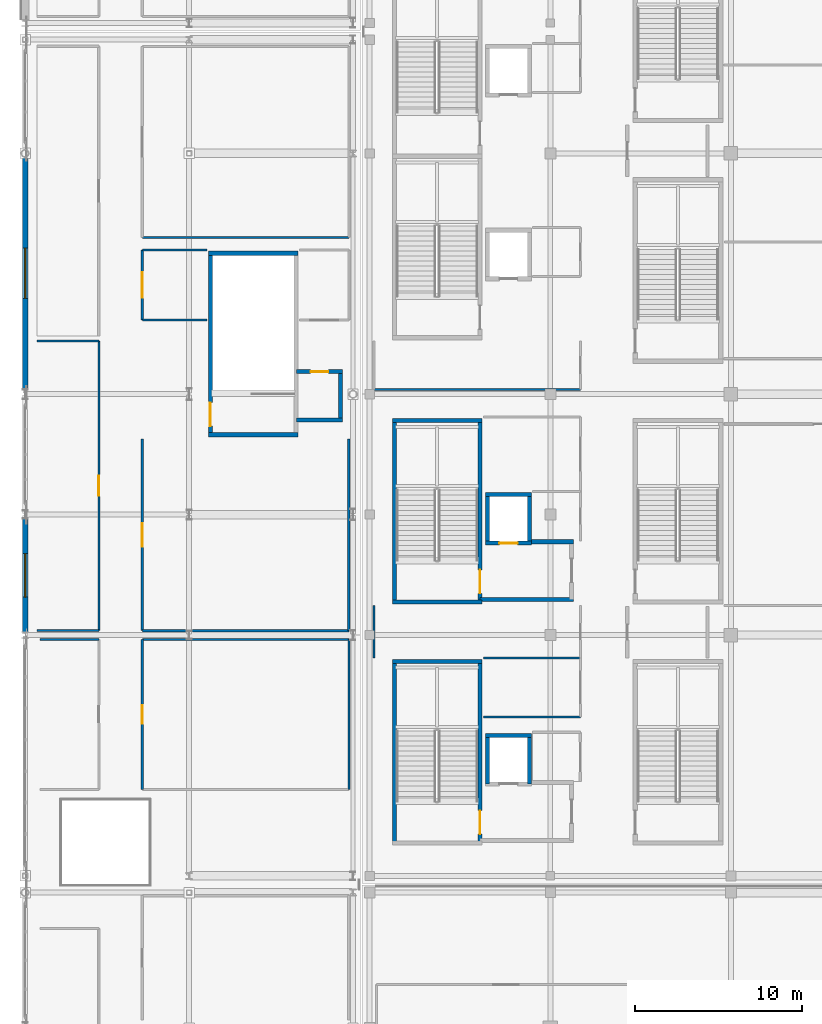
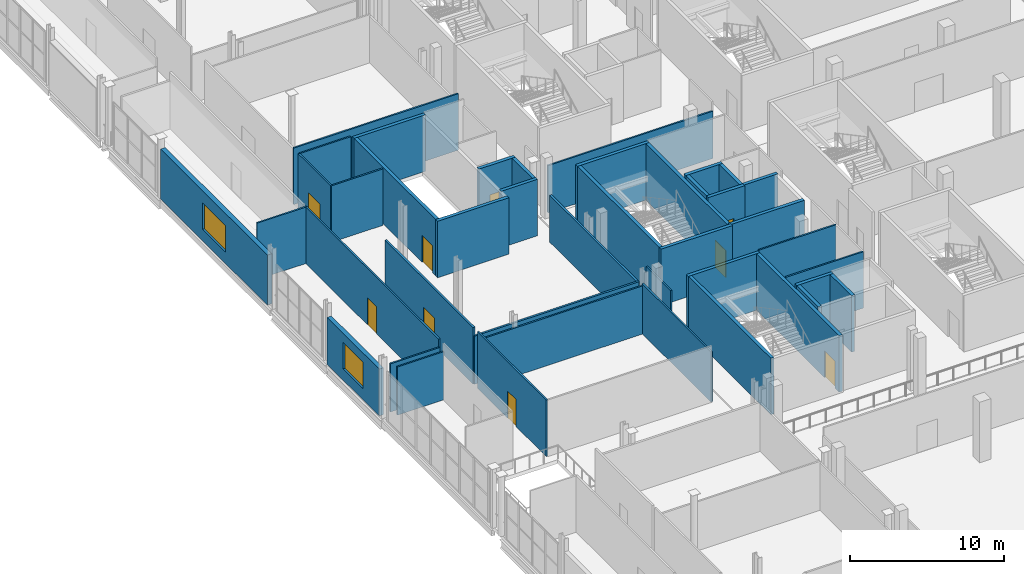
# One storey, part 88 of 142: 42 walls, 9 doors, 2 windows, 11 openings.
"""IFC4 building model written with IfcOpenShell, lengths in metres."""

from ifc_helpers import new_model, si_unit, direction, frame, frame_2d, origin, place, context, subcontext, project, spatial, rectangle, extrude, material, layer, layer_set, type_object, element, fill, save


model = new_model("IFC4")

# Units and contexts
model_context = context("Model", 3, precision=1e-05, world=origin(), true_north=direction((0.0, 1.0)))
body_context = subcontext(model_context, "Body", "Model", "MODEL_VIEW")
ifc_project = project(units=[si_unit("LENGTHUNIT", "METRE"), si_unit("AREAUNIT", "SQUARE_METRE"), si_unit("VOLUMEUNIT", "CUBIC_METRE"), si_unit("PLANEANGLEUNIT", "RADIAN"), si_unit("MASSUNIT", "GRAM", prefix="KILO")], contexts=[model_context])

# Site, building, storey
site_placement = place(None, origin())
site = spatial("IfcSite", under=ifc_project, at=site_placement, CompositionType="ELEMENT")
building_placement = place(site_placement, origin())
building = spatial("IfcBuilding", under=site, at=building_placement, Name="Koshinbarg Plaza Stadium", CompositionType="ELEMENT")
storey_placement = place(building_placement, frame((0.0, 0.0, 10.199951171875)))
storey = spatial("IfcBuildingStorey", under=building, at=storey_placement, Name="L02", CompositionType="ELEMENT", Elevation=10.199951171875)

# Walls
ifc_material_1 = material(Name="Concrete C40/50", Category="concrete")
ifc_layer_1 = layer(ifc_material_1, 0.25)
ifc_layer_set_1 = layer_set([ifc_layer_1], Name="Concrete C40/50")
wall_type_1 = type_object("IfcWallType", Name="WL-CORE-250", PredefinedType="SHEAR", material=ifc_layer_set_1)
wall_1_placement = place(storey_placement, frame((31.320068359375, 38.324951171875, 0.0), z_axis=(0.0, 0.0, 1.0), x_axis=(-1.0, 0.0, 0.0)))
element("IfcWall", 1, at=wall_1_placement, inside=storey, type_object=wall_type_1, Name="L02 core stair shear wall C01-far IWL-L02-0010", PredefinedType="SHEAR", context=body_context, shape_type="SweptSolid", body=[
    extrude(rectangle(XDim=5.3701171875, YDim=0.25, at=frame_2d((2.68505859375, 0.0))), origin(), (0.0, 0.0, 1.0), 4.47998046875),
])
wall_2_placement = place(storey_placement, frame((26.074951171875, 27.47509765625, 0.0), z_axis=(0.0, 0.0, 1.0), x_axis=(0.0, 1.0, 0.0)))
element("IfcWall", 2, at=wall_2_placement, inside=storey, type_object=wall_type_1, Name="L02 core stair shear wall C01-left IWL-L02-0011", PredefinedType="SHEAR", context=body_context, shape_type="SweptSolid", body=[
    extrude(rectangle(XDim=10.849853515625, YDim=0.25, at=frame_2d((5.4248046875, 0.0))), origin(), (0.0, 0.0, 1.0), 4.47998046875),
])

# Wall, opening, door
wall_3_placement = place(storey_placement, frame((31.195068359375, 27.47509765625, 0.0), z_axis=(0.0, 0.0, 1.0), x_axis=(0.0, 1.0, 0.0)))
wall_3 = element("IfcWall", 3, at=wall_3_placement, inside=storey, type_object=wall_type_1, Name="L02 core stair shear wall C01-right IWL-L02-0012", PredefinedType="SHEAR", context=body_context, shape_type="SweptSolid", body=[
    extrude(rectangle(XDim=10.849853515625, YDim=0.25, at=frame_2d((5.4248046875, 0.0))), origin(), (0.0, 0.0, 1.0), 4.47998046875),
])
opening_1_placement = place(wall_3_placement, frame((0.52001953125, 0.0, 0.0)))
opening_1 = element("IfcOpeningElement", 4, at=opening_1_placement, cuts=wall_3, Name="Opening D-0063", PredefinedType="OPENING", context=body_context, shape_type="SweptSolid", body=[
    extrude(rectangle(XDim=1.39990234375, YDim=2.14990234375, at=frame_2d((0.699951171875, 1.074951171875))), frame((0.0, 0.135009765625, 0.0), z_axis=(0.0, -1.0, 0.0), x_axis=(1.0, 0.0, 0.0)), (0.0, 0.0, 1.0), 0.27001953125),
])
ifc_material_2 = material(Name="Painted galvanized steel fire door", Category="steel")
door_type_1 = type_object("IfcDoorType", Name="DR-STAIR-1400", OperationType="NOTDEFINED", PredefinedType="DOOR", material=ifc_material_2)
door_1_placement = place(opening_1_placement, origin())
door_1 = element("IfcDoor", 5, at=door_1_placement, inside=storey, type_object=door_type_1, Name="L02 exit stair door C01", OperationType="SINGLE_SWING_LEFT", OverallHeight=2.14990234375, OverallWidth=1.39990234375, PredefinedType="DOOR", context=body_context, shape_type="SweptSolid", body=[
    extrude(rectangle(XDim=1.39990234375, YDim=2.14990234375, at=frame_2d((0.699951171875, 1.074951171875))), frame((0.0, 0.02490234375, 0.0), z_axis=(0.0, -1.0, 0.0), x_axis=(1.0, 0.0, 0.0)), (0.0, 0.0, 1.0), 0.050048828125),
])
fill(opening_1, door_1)

# Walls
for number, where, z_axis, x_axis, name in (
    (6, (25.949951171875, 41.875, 0.0), (0.0, 0.0, 1.0), (1.0, 0.0, 0.0), "L02 core stair shear wall C02-near IWL-L02-0037"),
    (7, (31.320068359375, 52.72509765625, 0.0), (0.0, 0.0, 1.0), (-1.0, 0.0, 0.0), "L02 core stair shear wall C02-far IWL-L02-0038"),
):
    element("IfcWall", number, at=place(storey_placement, frame(where, z_axis=z_axis, x_axis=x_axis)), inside=storey, type_object=wall_type_1, Name=name, PredefinedType="SHEAR", context=body_context, shape_type="SweptSolid", body=[
        extrude(rectangle(XDim=5.3701171875, YDim=0.25, at=frame_2d((2.68505859375, 0.0))), origin(), (0.0, 0.0, 1.0), 4.47998046875),
    ])
wall_4_placement = place(storey_placement, frame((26.074951171875, 41.875, 0.0), z_axis=(0.0, 0.0, 1.0), x_axis=(0.0, 1.0, 0.0)))
element("IfcWall", 8, at=wall_4_placement, inside=storey, type_object=wall_type_1, Name="L02 core stair shear wall C02-left IWL-L02-0039", PredefinedType="SHEAR", context=body_context, shape_type="SweptSolid", body=[
    extrude(rectangle(XDim=10.85009765625, YDim=0.25, at=frame_2d((5.425048828125, 0.0))), origin(), (0.0, 0.0, 1.0), 4.47998046875),
])

# Wall, opening, door
wall_5_placement = place(storey_placement, frame((31.195068359375, 41.875, 0.0), z_axis=(0.0, 0.0, 1.0), x_axis=(0.0, 1.0, 0.0)))
wall_5 = element("IfcWall", 9, at=wall_5_placement, inside=storey, type_object=wall_type_1, Name="L02 core stair shear wall C02-right IWL-L02-0040", PredefinedType="SHEAR", context=body_context, shape_type="SweptSolid", body=[
    extrude(rectangle(XDim=10.85009765625, YDim=0.25, at=frame_2d((5.425048828125, 0.0))), origin(), (0.0, 0.0, 1.0), 4.47998046875),
])
opening_2_placement = place(wall_5_placement, frame((0.52001953125, 0.0, 0.0)))
opening_2 = element("IfcOpeningElement", 10, at=opening_2_placement, cuts=wall_5, Name="Opening D-0070", PredefinedType="OPENING", context=body_context, shape_type="SweptSolid", body=[
    extrude(rectangle(XDim=1.39990234375, YDim=2.14990234375, at=frame_2d((0.699951171875, 1.074951171875))), frame((0.0, 0.135009765625, 0.0), z_axis=(0.0, -1.0, 0.0), x_axis=(1.0, 0.0, 0.0)), (0.0, 0.0, 1.0), 0.27001953125),
])
door_2_placement = place(opening_2_placement, origin())
door_2 = element("IfcDoor", 11, at=door_2_placement, inside=storey, type_object=door_type_1, Name="L02 exit stair door C02", OperationType="SINGLE_SWING_LEFT", OverallHeight=2.14990234375, OverallWidth=1.39990234375, PredefinedType="DOOR", context=body_context, shape_type="SweptSolid", body=[
    extrude(rectangle(XDim=1.39990234375, YDim=2.14990234375, at=frame_2d((0.699951171875, 1.074951171875))), frame((0.0, 0.02490234375, 0.0), z_axis=(0.0, -1.0, 0.0), x_axis=(1.0, 0.0, 0.0)), (0.0, 0.0, 1.0), 0.050048828125),
])
fill(opening_2, door_2)

# Walls
for number, where, z_axis, x_axis, name in (
    (12, (14.949951171875, 51.875, 0.0), (0.0, 0.0, 1.0), (1.0, 0.0, 0.0), "L02 core stair shear wall C16-near IWL-L02-0350"),
    (13, (20.320068359375, 62.72509765625, 0.0), (0.0, 0.0, 1.0), (-1.0, 0.0, 0.0), "L02 core stair shear wall C16-far IWL-L02-0351"),
):
    element("IfcWall", number, at=place(storey_placement, frame(where, z_axis=z_axis, x_axis=x_axis)), inside=storey, type_object=wall_type_1, Name=name, PredefinedType="SHEAR", context=body_context, shape_type="SweptSolid", body=[
        extrude(rectangle(XDim=5.3701171875, YDim=0.25, at=frame_2d((2.68505859375, 0.0))), origin(), (0.0, 0.0, 1.0), 4.47998046875),
    ])

# Wall, opening, door
wall_6_placement = place(storey_placement, frame((15.074951171875, 51.875, 0.0), z_axis=(0.0, 0.0, 1.0), x_axis=(0.0, 1.0, 0.0)))
wall_6 = element("IfcWall", 14, at=wall_6_placement, inside=storey, type_object=wall_type_1, Name="L02 core stair shear wall C16-left IWL-L02-0352", PredefinedType="SHEAR", context=body_context, shape_type="SweptSolid", body=[
    extrude(rectangle(XDim=10.85009765625, YDim=0.25, at=frame_2d((5.425048828125, 0.0))), origin(), (0.0, 0.0, 1.0), 4.47998046875),
])
opening_3_placement = place(wall_6_placement, frame((0.52001953125, 0.0, 0.0)))
opening_3 = element("IfcOpeningElement", 15, at=opening_3_placement, cuts=wall_6, Name="Opening D-0150", PredefinedType="OPENING", context=body_context, shape_type="SweptSolid", body=[
    extrude(rectangle(XDim=1.39990234375, YDim=2.14990234375, at=frame_2d((0.699951171875, 1.074951171875))), frame((0.0, 0.135009765625, 0.0), z_axis=(0.0, -1.0, 0.0), x_axis=(1.0, 0.0, 0.0)), (0.0, 0.0, 1.0), 0.27001953125),
])
door_3_placement = place(opening_3_placement, frame((1.39990234375, 0.0, 0.0), z_axis=(0.0, 0.0, 1.0), x_axis=(-1.0, 0.0, 0.0)))
door_3 = element("IfcDoor", 16, at=door_3_placement, inside=storey, type_object=door_type_1, Name="L02 exit stair door C16", OperationType="SINGLE_SWING_LEFT", OverallHeight=2.14990234375, OverallWidth=1.39990234375, PredefinedType="DOOR", context=body_context, shape_type="SweptSolid", body=[
    extrude(rectangle(XDim=1.39990234375, YDim=2.14990234375, at=frame_2d((0.699951171875, 1.074951171875))), frame((0.0, 0.02490234375, 0.0), z_axis=(0.0, -1.0, 0.0), x_axis=(1.0, 0.0, 0.0)), (0.0, 0.0, 1.0), 0.050048828125),
])
fill(opening_3, door_3)

# Walls
wall_7_placement = place(storey_placement, frame((34.27490234375, 33.89990234375, 0.0), z_axis=(0.0, 0.0, 1.0), x_axis=(-1.0, 0.0, 0.0)))
element("IfcWall", 17, at=wall_7_placement, inside=storey, type_object=wall_type_1, Name="L02 lift shaft shear wall FL01-N IWL-L02-0625", PredefinedType="SHEAR", context=body_context, shape_type="SweptSolid", body=[
    extrude(rectangle(XDim=2.75, YDim=0.25, at=frame_2d((1.375, 0.0))), origin(), (0.0, 0.0, 1.0), 4.47998046875),
])
for number, where, z_axis, x_axis, name in (
    (18, (31.64990234375, 33.89990234375, 0.0), (0.0, 0.0, 1.0), (0.0, -1.0, 0.0), "L02 lift shaft shear wall FL01-W IWL-L02-0626"),
    (19, (34.14990234375, 31.0, 0.0), (0.0, 0.0, 1.0), (0.0, 1.0, 0.0), "L02 lift shaft shear wall FL01-E IWL-L02-0627"),
):
    element("IfcWall", number, at=place(storey_placement, frame(where, z_axis=z_axis, x_axis=x_axis)), inside=storey, type_object=wall_type_1, Name=name, PredefinedType="SHEAR", context=body_context, shape_type="SweptSolid", body=[
        extrude(rectangle(XDim=2.89990234375, YDim=0.25, at=frame_2d((1.449951171875, 0.0))), origin(), (0.0, 0.0, 1.0), 4.47998046875),
    ])

# Wall, opening, door
wall_8_placement = place(storey_placement, frame((31.52490234375, 45.39990234375, 0.0), z_axis=(0.0, 0.0, 1.0), x_axis=(1.0, 0.0, 0.0)))
wall_8 = element("IfcWall", 20, at=wall_8_placement, inside=storey, type_object=wall_type_1, Name="L02 lift shaft shear wall FL02-S IWL-L02-0673", PredefinedType="SHEAR", context=body_context, shape_type="SweptSolid", body=[
    extrude(rectangle(XDim=2.75, YDim=0.25, at=frame_2d((1.375, 0.0))), origin(), (0.0, 0.0, 1.0), 4.47998046875),
])
opening_4_placement = place(wall_8_placement, frame((0.824951171875, 0.0, 0.0)))
opening_4 = element("IfcOpeningElement", 21, at=opening_4_placement, cuts=wall_8, Name="Opening D-0233", PredefinedType="OPENING", context=body_context, shape_type="SweptSolid", body=[
    extrude(rectangle(XDim=1.10009765625, YDim=2.14990234375, at=frame_2d((0.550048828125, 1.074951171875))), frame((0.0, 0.135009765625, 0.0), z_axis=(0.0, -1.0, 0.0), x_axis=(1.0, 0.0, 0.0)), (0.0, 0.0, 1.0), 0.27001953125),
])
ifc_material_3 = material(Name="Brushed stainless steel sliding lift landing door", Category="steel")
door_type_2 = type_object("IfcDoorType", Name="DR-LIFT-1100", OperationType="NOTDEFINED", PredefinedType="DOOR", material=ifc_material_3)
door_4_placement = place(opening_4_placement, origin())
door_4 = element("IfcDoor", 22, at=door_4_placement, inside=storey, type_object=door_type_2, Name="L02 lift landing door FL02", OperationType="SLIDING_TO_LEFT", OverallHeight=2.14990234375, OverallWidth=1.10009765625, PredefinedType="DOOR", context=body_context, shape_type="SweptSolid", body=[
    extrude(rectangle(XDim=1.10009765625, YDim=2.14990234375, at=frame_2d((0.550048828125, 1.074951171875))), frame((0.0, 0.02490234375, 0.0), z_axis=(0.0, -1.0, 0.0), x_axis=(1.0, 0.0, 0.0)), (0.0, 0.0, 1.0), 0.050048828125),
])
fill(opening_4, door_4)

# Walls
wall_9_placement = place(storey_placement, frame((34.27490234375, 48.300048828125, 0.0), z_axis=(0.0, 0.0, 1.0), x_axis=(-1.0, 0.0, 0.0)))
element("IfcWall", 23, at=wall_9_placement, inside=storey, type_object=wall_type_1, Name="L02 lift shaft shear wall FL02-N IWL-L02-0674", PredefinedType="SHEAR", context=body_context, shape_type="SweptSolid", body=[
    extrude(rectangle(XDim=2.75, YDim=0.25, at=frame_2d((1.375, 0.0))), origin(), (0.0, 0.0, 1.0), 4.47998046875),
])
for number, where, z_axis, x_axis, name in (
    (24, (31.64990234375, 48.300048828125, 0.0), (0.0, 0.0, 1.0), (0.0, -1.0, 0.0), "L02 lift shaft shear wall FL02-W IWL-L02-0675"),
    (25, (34.14990234375, 45.39990234375, 0.0), (0.0, 0.0, 1.0), (0.0, 1.0, 0.0), "L02 lift shaft shear wall FL02-E IWL-L02-0676"),
):
    element("IfcWall", number, at=place(storey_placement, frame(where, z_axis=z_axis, x_axis=x_axis)), inside=storey, type_object=wall_type_1, Name=name, PredefinedType="SHEAR", context=body_context, shape_type="SweptSolid", body=[
        extrude(rectangle(XDim=2.900146484375, YDim=0.25, at=frame_2d((1.4501953125, 0.0))), origin(), (0.0, 0.0, 1.0), 4.47998046875),
    ])
wall_10_placement = place(storey_placement, frame((34.27490234375, 45.47509765625, 0.0), z_axis=(0.0, 0.0, 1.0), x_axis=(1.0, 0.0, 0.0)))
element("IfcWall", 26, at=wall_10_placement, inside=storey, type_object=wall_type_1, Name="L02 firefighting lobby wall C02-NE IWL-L02-0678", PredefinedType="SHEAR", context=body_context, shape_type="SweptSolid", body=[
    extrude(rectangle(XDim=2.525146484375, YDim=0.25, at=frame_2d((1.2626953125, 0.0))), origin(), (0.0, 0.0, 1.0), 4.47998046875),
])
wall_11_placement = place(storey_placement, frame((31.199951171875, 42.02490234375, 0.0), z_axis=(0.0, 0.0, 1.0), x_axis=(1.0, 0.0, 0.0)))
element("IfcWall", 27, at=wall_11_placement, inside=storey, type_object=wall_type_1, Name="L02 firefighting lobby wall C02-S IWL-L02-0679", PredefinedType="SHEAR", context=body_context, shape_type="SweptSolid", body=[
    extrude(rectangle(XDim=5.60009765625, YDim=0.25, at=frame_2d((2.800048828125, 0.0))), origin(), (0.0, 0.0, 1.0), 4.47998046875),
])
wall_12_placement = place(storey_placement, frame((20.22509765625, 52.75, 0.0), z_axis=(0.0, 0.0, 1.0), x_axis=(1.0, 0.0, 0.0)))
element("IfcWall", 28, at=wall_12_placement, inside=storey, type_object=wall_type_1, Name="L02 lift shaft shear wall LP12-S IWL-L02-1045", PredefinedType="SHEAR", context=body_context, shape_type="SweptSolid", body=[
    extrude(rectangle(XDim=2.75, YDim=0.25, at=frame_2d((1.375, 0.0))), origin(), (0.0, 0.0, 1.0), 4.47998046875),
])

# Wall, opening, door
wall_13_placement = place(storey_placement, frame((22.97509765625, 55.64990234375, 0.0), z_axis=(0.0, 0.0, 1.0), x_axis=(-1.0, 0.0, 0.0)))
wall_13 = element("IfcWall", 29, at=wall_13_placement, inside=storey, type_object=wall_type_1, Name="L02 lift shaft shear wall LP12-N IWL-L02-1046", PredefinedType="SHEAR", context=body_context, shape_type="SweptSolid", body=[
    extrude(rectangle(XDim=2.75, YDim=0.25, at=frame_2d((1.375, 0.0))), origin(), (0.0, 0.0, 1.0), 4.47998046875),
])
opening_5_placement = place(wall_13_placement, frame((0.85009765625, 0.0, 0.0)))
opening_5 = element("IfcOpeningElement", 30, at=opening_5_placement, cuts=wall_13, Name="Opening D-0332", PredefinedType="OPENING", context=body_context, shape_type="SweptSolid", body=[
    extrude(rectangle(XDim=1.050048828125, YDim=2.14990234375, at=frame_2d((0.52490234375, 1.074951171875))), frame((0.0, 0.135009765625, 0.0), z_axis=(0.0, -1.0, 0.0), x_axis=(1.0, 0.0, 0.0)), (0.0, 0.0, 1.0), 0.27001953125),
])
door_type_3 = type_object("IfcDoorType", Name="DR-LIFT-1050", OperationType="NOTDEFINED", PredefinedType="DOOR", material=ifc_material_3)
door_5_placement = place(opening_5_placement, origin())
door_5 = element("IfcDoor", 31, at=door_5_placement, inside=storey, type_object=door_type_3, Name="L02 lift landing door LP12", OperationType="SLIDING_TO_LEFT", OverallHeight=2.14990234375, OverallWidth=1.050048828125, PredefinedType="DOOR", context=body_context, shape_type="SweptSolid", body=[
    extrude(rectangle(XDim=1.050048828125, YDim=2.14990234375, at=frame_2d((0.52490234375, 1.074951171875))), frame((0.0, 0.02490234375, 0.0), z_axis=(0.0, -1.0, 0.0), x_axis=(1.0, 0.0, 0.0)), (0.0, 0.0, 1.0), 0.050048828125),
])
fill(opening_5, door_5)

# Wall
wall_14_placement = place(storey_placement, frame((22.85009765625, 52.75, 0.0), z_axis=(0.0, 0.0, 1.0), x_axis=(0.0, 1.0, 0.0)))
element("IfcWall", 32, at=wall_14_placement, inside=storey, type_object=wall_type_1, Name="L02 lift shaft shear wall LP12-E IWL-L02-1047", PredefinedType="SHEAR", context=body_context, shape_type="SweptSolid", body=[
    extrude(rectangle(XDim=2.89990234375, YDim=0.25, at=frame_2d((1.449951171875, 0.0))), origin(), (0.0, 0.0, 1.0), 4.47998046875),
])

# Wall, opening, window
ifc_material_4 = material(Name="Ultramarine-blue pigmented mineral plaster facade wall", Category="masonry")
ifc_layer_2 = layer(ifc_material_4, 0.320068359375)
ifc_layer_set_2 = layer_set([ifc_layer_2], Name="Ultramarine-blue pigmented mineral plaster facade wall")
wall_type_2 = type_object("IfcWallType", Name="WL-EXT-320", PredefinedType="SOLIDWALL", material=ifc_layer_set_2)
wall_15_placement = place(storey_placement, frame((4.0, 40.0849609375, 0.0), z_axis=(0.0, 0.0, 1.0), x_axis=(0.0, 1.0, 0.0)))
wall_15 = element("IfcWall", 33, at=wall_15_placement, inside=storey, type_object=wall_type_2, Name="L02 exterior envelope wall EWL-L02-0110", PredefinedType="SOLIDWALL", context=body_context, shape_type="SweptSolid", body=[
    extrude(rectangle(XDim=6.77001953125, YDim=0.320068359375, at=frame_2d((3.385009765625, 0.0))), origin(), (0.0, 0.0, 1.0), 3.719970703125),
])
opening_6_placement = place(wall_15_placement, frame((2.0849609375, 0.0, 0.89990234375)))
opening_6 = element("IfcOpeningElement", 34, at=opening_6_placement, cuts=wall_15, Name="Opening WN16", PredefinedType="OPENING", context=body_context, shape_type="SweptSolid", body=[
    extrude(rectangle(XDim=2.60009765625, YDim=2.10009765625, at=frame_2d((1.300048828125, 1.050048828125))), frame((0.0, 0.169921875, 0.0), z_axis=(0.0, -1.0, 0.0), x_axis=(1.0, 0.0, 0.0)), (0.0, 0.0, 1.0), 0.340087890625),
])
ifc_material_5 = material(Name="Solar-control double glazing in thermally broken aluminium frame", Category="aluminium")
window_type_1 = type_object("IfcWindowType", Name="WN-FAC-16", PartitioningType="DOUBLE_PANEL_VERTICAL", PredefinedType="WINDOW", material=ifc_material_5)
window_1_placement = place(opening_6_placement, origin())
window_1 = element("IfcWindow", 35, at=window_1_placement, inside=storey, type_object=window_type_1, Name="L02 facade window 0049", OverallHeight=2.10009765625, OverallWidth=2.60009765625, PartitioningType="SINGLE_PANEL", PredefinedType="WINDOW", context=body_context, shape_type="SweptSolid", body=[
    extrude(rectangle(XDim=2.60009765625, YDim=2.10009765625, at=frame_2d((1.300048828125, 1.050048828125))), frame((0.0, 0.030029296875, 0.0), z_axis=(0.0, -1.0, 0.0), x_axis=(1.0, 0.0, 0.0)), (0.0, 0.0, 1.0), 0.06005859375),
])
fill(opening_6, window_1)

ifc_material_6 = material(Name="Acoustic insulated masonry stadium wall", Category="masonry")
ifc_layer_3 = layer(ifc_material_6, 0.35009765625)
ifc_layer_set_3 = layer_set([ifc_layer_3], Name="Acoustic insulated masonry stadium wall")
wall_type_3 = type_object("IfcWallType", Name="WL-EXT-350", PredefinedType="SOLIDWALL", material=ifc_layer_set_3)
wall_16_placement = place(storey_placement, frame((4.0, 54.594970703125, 0.0), z_axis=(0.0, 0.0, 1.0), x_axis=(0.0, 1.0, 0.0)))
wall_16 = element("IfcWall", 36, at=wall_16_placement, inside=storey, type_object=wall_type_3, Name="L02 exterior envelope wall EWL-L02-0111", PredefinedType="SOLIDWALL", context=body_context, shape_type="SweptSolid", body=[
    extrude(rectangle(XDim=13.881591796875, YDim=0.35009765625, at=frame_2d((6.94091796875, 0.0))), origin(), (0.0, 0.0, 1.0), 3.969970703125),
])
opening_7_placement = place(wall_16_placement, frame((5.44091796875, 0.0, 0.89990234375)))
opening_7 = element("IfcOpeningElement", 37, at=opening_7_placement, cuts=wall_16, Name="Opening WN17", PredefinedType="OPENING", context=body_context, shape_type="SweptSolid", body=[
    extrude(rectangle(XDim=3.0, YDim=2.10009765625, at=frame_2d((1.5, 1.050048828125))), frame((0.0, 0.18505859375, 0.0), z_axis=(0.0, -1.0, 0.0), x_axis=(1.0, 0.0, 0.0)), (0.0, 0.0, 1.0), 0.3701171875),
])
window_type_2 = type_object("IfcWindowType", Name="WN-FAC-17", PartitioningType="DOUBLE_PANEL_VERTICAL", PredefinedType="WINDOW", material=ifc_material_5)
window_2_placement = place(opening_7_placement, origin())
window_2 = element("IfcWindow", 38, at=window_2_placement, inside=storey, type_object=window_type_2, Name="L02 facade window 0050", OverallHeight=2.10009765625, OverallWidth=3.0, PartitioningType="SINGLE_PANEL", PredefinedType="WINDOW", context=body_context, shape_type="SweptSolid", body=[
    extrude(rectangle(XDim=3.0, YDim=2.10009765625, at=frame_2d((1.5, 1.050048828125))), frame((0.0, 0.030029296875, 0.0), z_axis=(0.0, -1.0, 0.0), x_axis=(1.0, 0.0, 0.0)), (0.0, 0.0, 1.0), 0.06005859375),
])
fill(opening_7, window_2)

# Walls
ifc_material_7 = material(Name="Gypsum board metal-stud acoustic partition")
ifc_layer_4 = layer(ifc_material_7, 0.1201171875)
ifc_layer_set_4 = layer_set([ifc_layer_4], Name="Gypsum board metal-stud acoustic partition")
wall_type_4 = type_object("IfcWallType", Name="WL-PART-120", PredefinedType="PARTITIONING", material=ifc_layer_set_4)
wall_17_placement = place(storey_placement, frame((24.844970703125, 41.669921875, 0.0), z_axis=(0.0, 0.0, 1.0), x_axis=(0.0, -1.0, 0.0)))
element("IfcWall", 39, at=wall_17_placement, inside=storey, type_object=wall_type_4, Name="L02 interior partition L02-61-west IWL-L02-1629", PredefinedType="PARTITIONING", context=body_context, shape_type="SweptSolid", body=[
    extrude(rectangle(XDim=3.139892578125, YDim=0.1201171875, at=frame_2d((1.56982421875, 0.0))), origin(), (0.0, 0.0, 1.0), 3.56005859375),
])
for number, where, z_axis, x_axis, name in (
    (40, (31.39990234375, 34.994140625, 0.0), (0.0, 0.0, 1.0), (1.0, 0.0, 0.0), "L02 interior partition L02-62-south IWL-L02-1630"),
    (41, (37.199951171875, 38.530029296875, 0.0), (0.0, 0.0, 1.0), (-1.0, 0.0, 0.0), "L02 interior partition L02-62-north IWL-L02-1632"),
):
    element("IfcWall", number, at=place(storey_placement, frame(where, z_axis=z_axis, x_axis=x_axis)), inside=storey, type_object=wall_type_4, Name=name, PredefinedType="PARTITIONING", context=body_context, shape_type="SweptSolid", body=[
        extrude(rectangle(XDim=5.800048828125, YDim=0.1201171875, at=frame_2d((2.89990234375, 0.0))), origin(), (0.0, 0.0, 1.0), 4.47998046875),
    ])
wall_18_placement = place(storey_placement, frame((24.844970703125, 54.570068359375, 0.0), z_axis=(0.0, 0.0, 1.0), x_axis=(1.0, 0.0, 0.0)))
element("IfcWall", 42, at=wall_18_placement, inside=storey, type_object=wall_type_4, Name="L02 interior partition L02-66-south IWL-L02-1640", PredefinedType="PARTITIONING", context=body_context, shape_type="SweptSolid", body=[
    extrude(rectangle(XDim=12.35498046875, YDim=0.1201171875, at=frame_2d((6.177490234375, 0.0))), origin(), (0.0, 0.0, 1.0), 3.760009765625),
])
wall_19_placement = place(storey_placement, frame((8.39990234375, 39.6298828125, 0.0), z_axis=(0.0, 0.0, 1.0), x_axis=(-1.0, 0.0, 0.0)))
element("IfcWall", 43, at=wall_19_placement, inside=storey, type_object=wall_type_4, Name="L02 interior partition L02-154-north IWL-L02-1889", PredefinedType="PARTITIONING", context=body_context, shape_type="SweptSolid", body=[
    extrude(rectangle(XDim=3.5, YDim=0.1201171875, at=frame_2d((1.75, 0.0))), origin(), (0.0, 0.0, 1.0), 3.820068359375),
])
wall_20_placement = place(storey_placement, frame((23.35498046875, 30.679931640625, 0.0), z_axis=(0.0, 0.0, 1.0), x_axis=(0.0, 1.0, 0.0)))
element("IfcWall", 44, at=wall_20_placement, inside=storey, type_object=wall_type_4, Name="L02 interior partition L02-157-east IWL-L02-1898", PredefinedType="PARTITIONING", context=body_context, shape_type="SweptSolid", body=[
    extrude(rectangle(XDim=8.949951171875, YDim=0.1201171875, at=frame_2d((4.47509765625, 0.0))), origin(), (0.0, 0.0, 1.0), 3.969970703125),
])
wall_21_placement = place(storey_placement, frame((23.35498046875, 39.6298828125, 0.0), z_axis=(0.0, 0.0, 1.0), x_axis=(-1.0, 0.0, 0.0)))
element("IfcWall", 45, at=wall_21_placement, inside=storey, type_object=wall_type_4, Name="L02 interior partition L02-157-north IWL-L02-1899", PredefinedType="PARTITIONING", context=body_context, shape_type="SweptSolid", body=[
    extrude(rectangle(XDim=12.35498046875, YDim=0.1201171875, at=frame_2d((6.177490234375, 0.0))), origin(), (0.0, 0.0, 1.0), 3.820068359375),
])

# Wall, opening, door
wall_22_placement = place(storey_placement, frame((11.0, 39.6298828125, 0.0), z_axis=(0.0, 0.0, 1.0), x_axis=(0.0, -1.0, 0.0)))
wall_22 = element("IfcWall", 46, at=wall_22_placement, inside=storey, type_object=wall_type_4, Name="L02 interior partition L02-157-west IWL-L02-1900", PredefinedType="PARTITIONING", context=body_context, shape_type="SweptSolid", body=[
    extrude(rectangle(XDim=8.949951171875, YDim=0.1201171875, at=frame_2d((4.47509765625, 0.0))), origin(), (0.0, 0.0, 1.0), 4.47998046875),
])
opening_8_placement = place(wall_22_placement, frame((3.9150390625, 0.0, 0.0)))
opening_8 = element("IfcOpeningElement", 47, at=opening_8_placement, cuts=wall_22, Name="Opening D-0644", PredefinedType="OPENING", context=body_context, shape_type="SweptSolid", body=[
    extrude(rectangle(XDim=1.1201171875, YDim=2.14990234375, at=frame_2d((0.56005859375, 1.074951171875))), frame((0.0, 0.070068359375, 0.0), z_axis=(0.0, -1.0, 0.0), x_axis=(1.0, 0.0, 0.0)), (0.0, 0.0, 1.0), 0.14013671875),
])
ifc_material_8 = material(Name="Acoustic timber broadcast studio door", Category="wood")
door_type_4 = type_object("IfcDoorType", Name="DR-INT-1120x2150", OperationType="NOTDEFINED", PredefinedType="DOOR", material=ifc_material_8)
door_6_placement = place(opening_8_placement, origin())
door_6 = element("IfcDoor", 48, at=door_6_placement, inside=storey, type_object=door_type_4, Name="L02 Protocol Reception Salon door D-0644", OperationType="SINGLE_SWING_RIGHT", OverallHeight=2.14990234375, OverallWidth=1.1201171875, PredefinedType="DOOR", context=body_context, shape_type="SweptSolid", body=[
    extrude(rectangle(XDim=1.1201171875, YDim=2.14990234375, at=frame_2d((0.56005859375, 1.074951171875))), frame((0.0, 0.02490234375, 0.0), z_axis=(0.0, -1.0, 0.0), x_axis=(1.0, 0.0, 0.0)), (0.0, 0.0, 1.0), 0.050048828125),
])
fill(opening_8, door_6)

# Wall
wall_23_placement = place(storey_placement, frame((4.699951171875, 40.169921875, 0.0), z_axis=(0.0, 0.0, 1.0), x_axis=(1.0, 0.0, 0.0)))
element("IfcWall", 49, at=wall_23_placement, inside=storey, type_object=wall_type_4, Name="L02 interior partition L02-158-south IWL-L02-1901", PredefinedType="PARTITIONING", context=body_context, shape_type="SweptSolid", body=[
    extrude(rectangle(XDim=3.699951171875, YDim=0.1201171875, at=frame_2d((1.85009765625, 0.0))), origin(), (0.0, 0.0, 1.0), 3.820068359375),
])

# Wall, opening, door
wall_24_placement = place(storey_placement, frame((8.39990234375, 40.169921875, 0.0), z_axis=(0.0, 0.0, 1.0), x_axis=(0.0, 1.0, 0.0)))
wall_24 = element("IfcWall", 50, at=wall_24_placement, inside=storey, type_object=wall_type_4, Name="L02 interior partition L02-158-east IWL-L02-1902", PredefinedType="PARTITIONING", context=body_context, shape_type="SweptSolid", body=[
    extrude(rectangle(XDim=17.317626953125, YDim=0.1201171875, at=frame_2d((8.65869140625, 0.0))), origin(), (0.0, 0.0, 1.0), 4.47998046875),
])
opening_9_placement = place(wall_24_placement, frame((8.05859375, 0.0, 0.0)))
opening_9 = element("IfcOpeningElement", 51, at=opening_9_placement, cuts=wall_24, Name="Opening D-0645", PredefinedType="OPENING", context=body_context, shape_type="SweptSolid", body=[
    extrude(rectangle(XDim=1.199951171875, YDim=2.14990234375, at=frame_2d((0.60009765625, 1.074951171875))), frame((0.0, 0.070068359375, 0.0), z_axis=(0.0, -1.0, 0.0), x_axis=(1.0, 0.0, 0.0)), (0.0, 0.0, 1.0), 0.14013671875),
])
ifc_material_9 = material(Name="Solid-core hardwood leaf in painted steel frame", Category="steel")
door_type_5 = type_object("IfcDoorType", Name="DR-INT-1200x2150", OperationType="NOTDEFINED", PredefinedType="DOOR", material=ifc_material_9)
door_7_placement = place(opening_9_placement, origin())
door_7 = element("IfcDoor", 52, at=door_7_placement, inside=storey, type_object=door_type_5, Name="L02 Southwest Club Dining Hall door D-0645", OperationType="SINGLE_SWING_LEFT", OverallHeight=2.14990234375, OverallWidth=1.199951171875, PredefinedType="DOOR", context=body_context, shape_type="SweptSolid", body=[
    extrude(rectangle(XDim=1.199951171875, YDim=2.14990234375, at=frame_2d((0.60009765625, 1.074951171875))), frame((0.0, 0.02490234375, 0.0), z_axis=(0.0, -1.0, 0.0), x_axis=(1.0, 0.0, 0.0)), (0.0, 0.0, 1.0), 0.050048828125),
])
fill(opening_9, door_7)

# Walls
wall_25_placement = place(storey_placement, frame((8.39990234375, 57.487548828125, 0.0), z_axis=(0.0, 0.0, 1.0), x_axis=(-1.0, 0.0, 0.0)))
element("IfcWall", 53, at=wall_25_placement, inside=storey, type_object=wall_type_4, Name="L02 interior partition L02-158-north IWL-L02-1903", PredefinedType="PARTITIONING", context=body_context, shape_type="SweptSolid", body=[
    extrude(rectangle(XDim=3.699951171875, YDim=0.1201171875, at=frame_2d((1.85009765625, 0.0))), origin(), (0.0, 0.0, 1.0), 4.47998046875),
])
for number, where, z_axis, x_axis, name in (
    (54, (11.0, 58.72998046875, 0.0), (0.0, 0.0, 1.0), (1.0, 0.0, 0.0), "L02 interior partition L02-161-south IWL-L02-1909"),
    (55, (14.8701171875, 62.929931640625, 0.0), (0.0, 0.0, 1.0), (-1.0, 0.0, 0.0), "L02 interior partition L02-161-north IWL-L02-1910"),
):
    element("IfcWall", number, at=place(storey_placement, frame(where, z_axis=z_axis, x_axis=x_axis)), inside=storey, type_object=wall_type_4, Name=name, PredefinedType="PARTITIONING", context=body_context, shape_type="SweptSolid", body=[
        extrude(rectangle(XDim=3.8701171875, YDim=0.1201171875, at=frame_2d((1.93505859375, 0.0))), origin(), (0.0, 0.0, 1.0), 4.47998046875),
    ])

# Wall, opening, door
wall_26_placement = place(storey_placement, frame((11.0, 62.929931640625, 0.0), z_axis=(0.0, 0.0, 1.0), x_axis=(0.0, -1.0, 0.0)))
wall_26 = element("IfcWall", 56, at=wall_26_placement, inside=storey, type_object=wall_type_4, Name="L02 interior partition L02-161-west IWL-L02-1911", PredefinedType="PARTITIONING", context=body_context, shape_type="SweptSolid", body=[
    extrude(rectangle(XDim=4.199951171875, YDim=0.1201171875, at=frame_2d((2.10009765625, 0.0))), origin(), (0.0, 0.0, 1.0), 4.47998046875),
])
opening_10_placement = place(wall_26_placement, frame((1.324951171875, 0.0, 0.0)))
opening_10 = element("IfcOpeningElement", 57, at=opening_10_placement, cuts=wall_26, Name="Opening D-0648", PredefinedType="OPENING", context=body_context, shape_type="SweptSolid", body=[
    extrude(rectangle(XDim=1.550048828125, YDim=2.199951171875, at=frame_2d((0.77490234375, 1.10009765625))), frame((0.0, 0.070068359375, 0.0), z_axis=(0.0, -1.0, 0.0), x_axis=(1.0, 0.0, 0.0)), (0.0, 0.0, 1.0), 0.14013671875),
])
ifc_material_10 = material(Name="Toughened laminated glass in aluminium frame", Category="aluminium")
door_type_6 = type_object("IfcDoorType", Name="DR-INT-1550x2200", OperationType="NOTDEFINED", PredefinedType="DOOR", material=ifc_material_10)
door_8_placement = place(opening_10_placement, origin())
door_8 = element("IfcDoor", 58, at=door_8_placement, inside=storey, type_object=door_type_6, Name="L02 Protocol Reception Salon door D-0648", OperationType="DOUBLE_DOOR_SINGLE_SWING", OverallHeight=2.199951171875, OverallWidth=1.550048828125, PredefinedType="DOOR", context=body_context, shape_type="SweptSolid", body=[
    extrude(rectangle(XDim=1.550048828125, YDim=2.199951171875, at=frame_2d((0.77490234375, 1.10009765625))), frame((0.0, 0.02490234375, 0.0), z_axis=(0.0, -1.0, 0.0), x_axis=(1.0, 0.0, 0.0)), (0.0, 0.0, 1.0), 0.050048828125),
])
fill(opening_10, door_8)

# Walls
wall_27_placement = place(storey_placement, frame((11.0, 63.659912109375, 0.0), z_axis=(0.0, 0.0, 1.0), x_axis=(1.0, 0.0, 0.0)))
element("IfcWall", 59, at=wall_27_placement, inside=storey, type_object=wall_type_4, Name="L02 interior partition L02-163-south IWL-L02-1915", PredefinedType="PARTITIONING", context=body_context, shape_type="SweptSolid", body=[
    extrude(rectangle(XDim=12.35498046875, YDim=0.1201171875, at=frame_2d((6.177490234375, 0.0))), origin(), (0.0, 0.0, 1.0), 4.47998046875),
])
ifc_material_11 = material(Name="Double-layer gypsum acoustic suite partition")
ifc_layer_5 = layer(ifc_material_11, 0.14990234375)
ifc_layer_set_5 = layer_set([ifc_layer_5], Name="Double-layer gypsum acoustic suite partition")
wall_type_5 = type_object("IfcWallType", Name="WL-PART-150", PredefinedType="PARTITIONING", material=ifc_layer_set_5)
wall_28_placement = place(storey_placement, frame((11.0, 40.169921875, 0.0), z_axis=(0.0, 0.0, 1.0), x_axis=(1.0, 0.0, 0.0)))
element("IfcWall", 60, at=wall_28_placement, inside=storey, type_object=wall_type_5, Name="L02 interior partition L02-160-south IWL-L02-1906", PredefinedType="PARTITIONING", context=body_context, shape_type="SweptSolid", body=[
    extrude(rectangle(XDim=12.35498046875, YDim=0.14990234375, at=frame_2d((6.177490234375, 0.0))), origin(), (0.0, 0.0, 1.0), 3.820068359375),
])
wall_29_placement = place(storey_placement, frame((23.35498046875, 40.169921875, 0.0), z_axis=(0.0, 0.0, 1.0), x_axis=(0.0, 1.0, 0.0)))
element("IfcWall", 61, at=wall_29_placement, inside=storey, type_object=wall_type_5, Name="L02 interior partition L02-160-east IWL-L02-1907", PredefinedType="PARTITIONING", context=body_context, shape_type="SweptSolid", body=[
    extrude(rectangle(XDim=11.445068359375, YDim=0.14990234375, at=frame_2d((5.72265625, 0.0))), origin(), (0.0, 0.0, 1.0), 3.719970703125),
])

# Wall, opening, door
wall_30_placement = place(storey_placement, frame((11.0, 51.614990234375, 0.0), z_axis=(0.0, 0.0, 1.0), x_axis=(0.0, -1.0, 0.0)))
wall_30 = element("IfcWall", 62, at=wall_30_placement, inside=storey, type_object=wall_type_5, Name="L02 interior partition L02-160-west IWL-L02-1908", PredefinedType="PARTITIONING", context=body_context, shape_type="SweptSolid", body=[
    extrude(rectangle(XDim=11.445068359375, YDim=0.14990234375, at=frame_2d((5.72265625, 0.0))), origin(), (0.0, 0.0, 1.0), 4.47998046875),
])
opening_11_placement = place(wall_30_placement, frame((5.0224609375, 0.0, 0.0)))
opening_11 = element("IfcOpeningElement", 63, at=opening_11_placement, cuts=wall_30, Name="Opening D-0647", PredefinedType="OPENING", context=body_context, shape_type="SweptSolid", body=[
    extrude(rectangle(XDim=1.39990234375, YDim=2.199951171875, at=frame_2d((0.699951171875, 1.10009765625))), frame((0.0, 0.0849609375, 0.0), z_axis=(0.0, -1.0, 0.0), x_axis=(1.0, 0.0, 0.0)), (0.0, 0.0, 1.0), 0.169921875),
])
ifc_material_12 = material(Name="Stainless-clad solid-core timber double fire door", Category="wood")
door_type_7 = type_object("IfcDoorType", Name="DR-INT-1400x2200", OperationType="NOTDEFINED", PredefinedType="DOOR", material=ifc_material_12)
door_9_placement = place(opening_11_placement, origin())
door_9 = element("IfcDoor", 64, at=door_9_placement, inside=storey, type_object=door_type_7, Name="L02 Southwest Hospitality Suite door D-0647", OperationType="DOUBLE_DOOR_SINGLE_SWING", OverallHeight=2.199951171875, OverallWidth=1.39990234375, PredefinedType="DOOR", context=body_context, shape_type="SweptSolid", body=[
    extrude(rectangle(XDim=1.39990234375, YDim=2.199951171875, at=frame_2d((0.699951171875, 1.10009765625))), frame((0.0, 0.02490234375, 0.0), z_axis=(0.0, -1.0, 0.0), x_axis=(1.0, 0.0, 0.0)), (0.0, 0.0, 1.0), 0.050048828125),
])
fill(opening_11, door_9)

save(model, "model.ifc")
